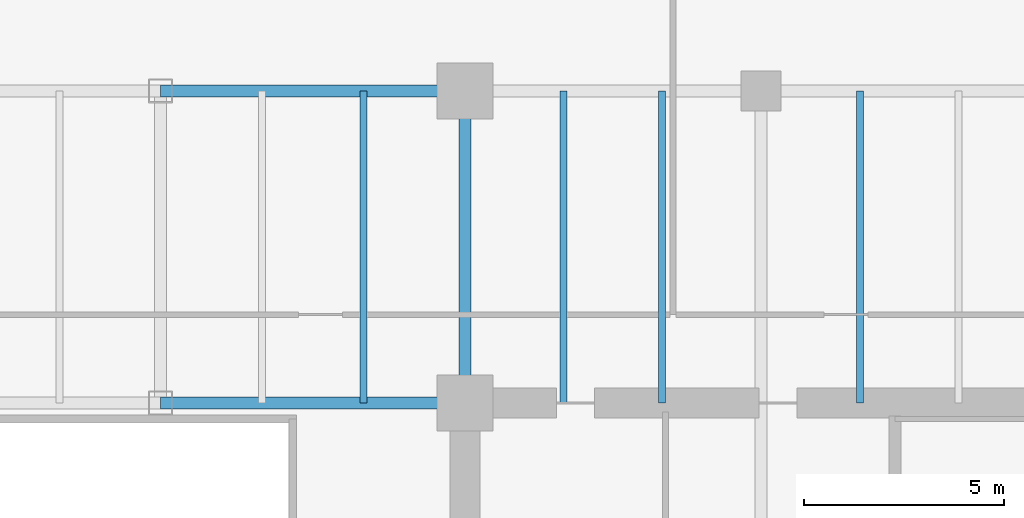
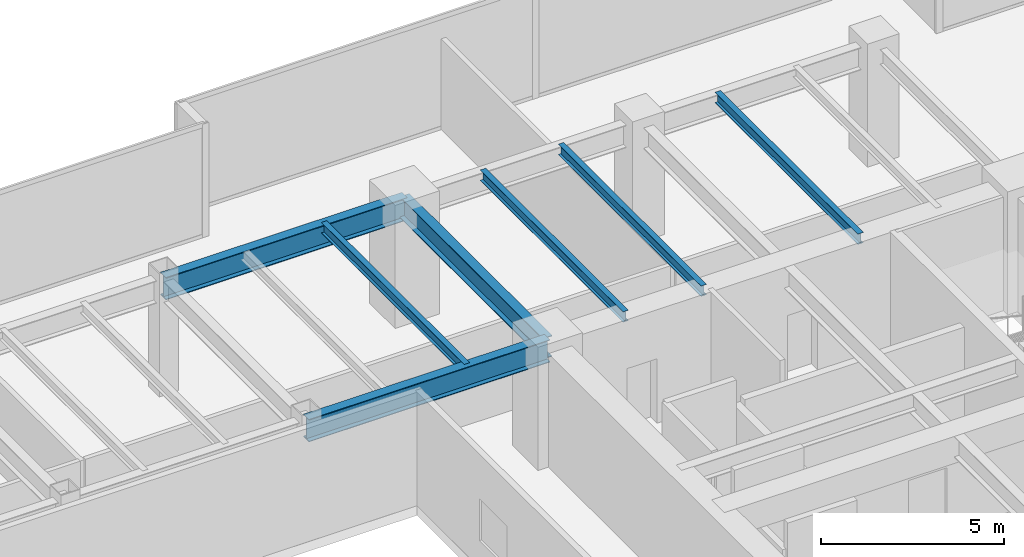
# One storey, part 19 of 36: 7 beams.
"""IFC4 building model written with IfcOpenShell, lengths in metres."""

from ifc_helpers import new_model, si_unit, direction, frame, origin, origin_2d, place, context, subcontext, project, spatial, i_section, extrude, source, transform, mapped, material, material_profile, profile_set, type_object, type_shapes, element, save


model = new_model("IFC4")

# Units and contexts
model_context = context("Model", 3, precision=1e-05, world=origin(), true_north=direction((0.0, 1.0)))
body_context = subcontext(model_context, "Body", "Model", "MODEL_VIEW")
ifc_project = project(units=[si_unit("LENGTHUNIT", "METRE"), si_unit("AREAUNIT", "SQUARE_METRE"), si_unit("VOLUMEUNIT", "CUBIC_METRE"), si_unit("PLANEANGLEUNIT", "RADIAN"), si_unit("MASSUNIT", "GRAM", prefix="KILO")], contexts=[model_context])

# Site, building, storey
site_placement = place(None, origin())
site = spatial("IfcSite", under=ifc_project, at=site_placement, CompositionType="ELEMENT")
building_placement = place(site_placement, origin())
building = spatial("IfcBuilding", under=site, at=building_placement, Name="Haelvirn Gate Laboratories", CompositionType="ELEMENT")
storey_placement = place(building_placement, frame((0.0, 0.0, 25.199951171875)))
storey = spatial("IfcBuildingStorey", under=building, at=storey_placement, Name="L06", CompositionType="ELEMENT", Elevation=25.199951171875)

# Beams
ifc_material = material(Name="Steel SM355", Category="steel")
ifc_material_profile_1 = material_profile(ifc_material, i_section(OverallWidth=0.300048828125, OverallDepth=0.699951171875, WebThickness=0.012939453125, FlangeThickness=0.02392578125, at=origin_2d()), Name="H-700x300x13x24")
ifc_profile_set_1 = profile_set([ifc_material_profile_1], Name="Steel SM355")
beam_type_1 = type_object("IfcBeamType", Name="BM-G-700", PredefinedType="BEAM", material=ifc_profile_set_1)
shared_shape_1 = source(origin(), body_context, "Body", "SweptSolid", [
    extrude(i_section(OverallWidth=0.300048828125, OverallDepth=0.699951171875, WebThickness=0.012939453125, FlangeThickness=0.02392578125, at=origin_2d()), origin(), (0.0, 0.0, 1.0), 7.800048828125),
])
type_shapes(beam_type_1, [shared_shape_1])
beam_placement = place(storey_placement, frame((52.60009765625, 33.800048828125, 3.429931640625), z_axis=(0.0, 1.0, 0.0), x_axis=(-1.0, 0.0, 0.0)))
element("IfcBeam", 1, at=beam_placement, inside=storey, type_object=beam_type_1, Name="L06 Frame Girder X52.6 (33.8-41.6)", PredefinedType="BEAM", context=body_context, shape_type="MappedRepresentation", body=[
    mapped(shared_shape_1, transform((0.0, 0.0, 0.0), scale=1.0)),
])
ifc_material_profile_2 = material_profile(ifc_material, i_section(OverallWidth=0.300048828125, OverallDepth=0.75, WebThickness=0.013916015625, FlangeThickness=0.02392578125, at=origin_2d()), Name="H-750x300x14x24")
ifc_profile_set_2 = profile_set([ifc_material_profile_2], Name="Steel SM355")
beam_type_2 = type_object("IfcBeamType", Name="BM-G-750", PredefinedType="BEAM", material=ifc_profile_set_2)
shared_shape_2 = source(origin(), body_context, "Body", "SweptSolid", [
    extrude(i_section(OverallWidth=0.300048828125, OverallDepth=0.75, WebThickness=0.013916015625, FlangeThickness=0.02392578125, at=origin_2d()), origin(), (0.0, 0.0, 1.0), 7.60009765625),
])
type_shapes(beam_type_2, [shared_shape_2])
for number, where, z_axis, x_axis, name in (
    (2, (45.0, 33.800048828125, 3.405029296875), (1.0, 0.0, 0.0), (0.0, 1.0, 0.0), "L06 Primary Girder Y33.8 (45.0-52.6)"),
    (3, (45.0, 41.60009765625, 3.405029296875), (1.0, 0.0, 0.0), (0.0, 1.0, 0.0), "L06 Primary Girder Y41.6 (45.0-52.6)"),
):
    element("IfcBeam", number, at=place(storey_placement, frame(where, z_axis=z_axis, x_axis=x_axis)), inside=storey, type_object=beam_type_2, Name=name, PredefinedType="BEAM", context=body_context, shape_type="MappedRepresentation", body=[
        mapped(shared_shape_2, transform((0.0, 0.0, 0.0), scale=1.0)),
    ])
ifc_material_profile_3 = material_profile(ifc_material, i_section(OverallWidth=0.175048828125, OverallDepth=0.35009765625, WebThickness=0.007080078125, FlangeThickness=0.010986328125, at=origin_2d()), Name="H-350x175x7x11")
ifc_profile_set_3 = profile_set([ifc_material_profile_3], Name="Steel SM355")
beam_type_3 = type_object("IfcBeamType", Name="BM-J-350", PredefinedType="JOIST", material=ifc_profile_set_3)
shared_shape_3 = source(origin(), body_context, "Body", "SweptSolid", [
    extrude(i_section(OverallWidth=0.175048828125, OverallDepth=0.35009765625, WebThickness=0.007080078125, FlangeThickness=0.010986328125, at=origin_2d()), origin(), (0.0, 0.0, 1.0), 7.800048828125),
])
type_shapes(beam_type_3, [shared_shape_3])
for number, where, z_axis, x_axis, name in (
    (4, (50.070068359375, 33.800048828125, 3.60498046875), (0.0, 1.0, 0.0), (-1.0, 0.0, 0.0), "L06 Composite Lab Joist North X50.07"),
    (5, (55.070068359375, 33.800048828125, 3.60498046875), (0.0, 1.0, 0.0), (-1.0, 0.0, 0.0), "L06 Composite Lab Joist North X55.07"),
    (6, (57.530029296875, 33.800048828125, 3.60498046875), (0.0, 1.0, 0.0), (-1.0, 0.0, 0.0), "L06 Composite Lab Joist North X57.53"),
    (7, (62.469970703125, 33.800048828125, 3.60498046875), (0.0, 1.0, 0.0), (-1.0, 0.0, 0.0), "L06 Composite Lab Joist North X62.47"),
):
    element("IfcBeam", number, at=place(storey_placement, frame(where, z_axis=z_axis, x_axis=x_axis)), inside=storey, type_object=beam_type_3, Name=name, PredefinedType="JOIST", context=body_context, shape_type="MappedRepresentation", body=[
        mapped(shared_shape_3, transform((0.0, 0.0, 0.0), scale=1.0)),
    ])

save(model, "model.ifc")
